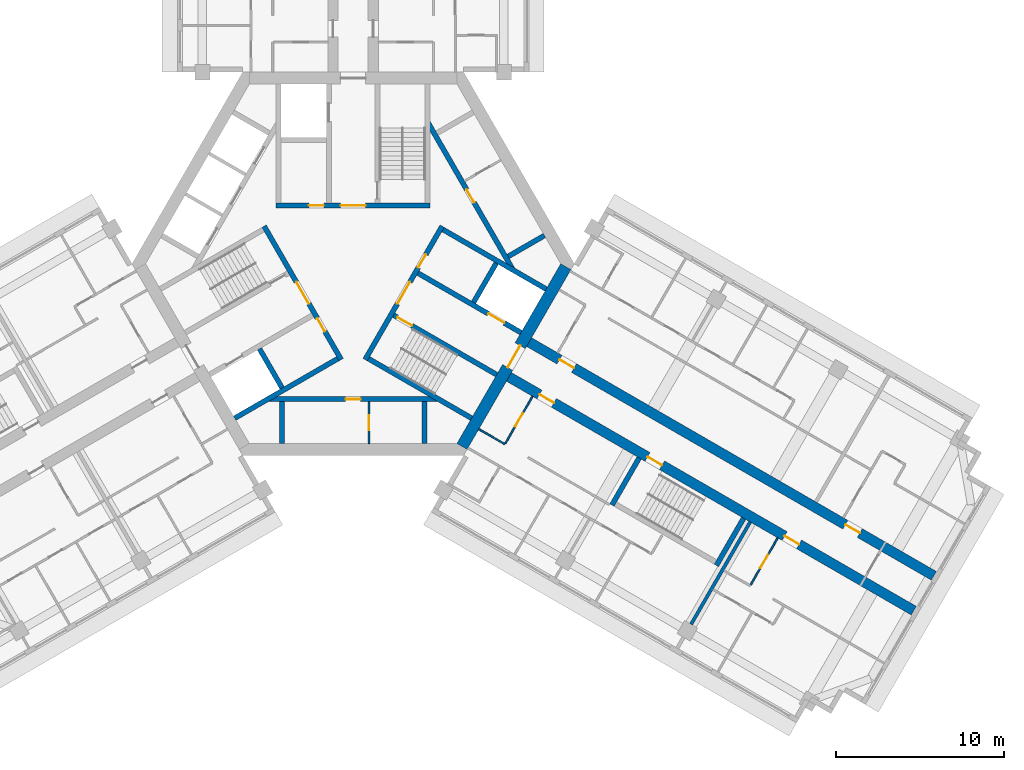
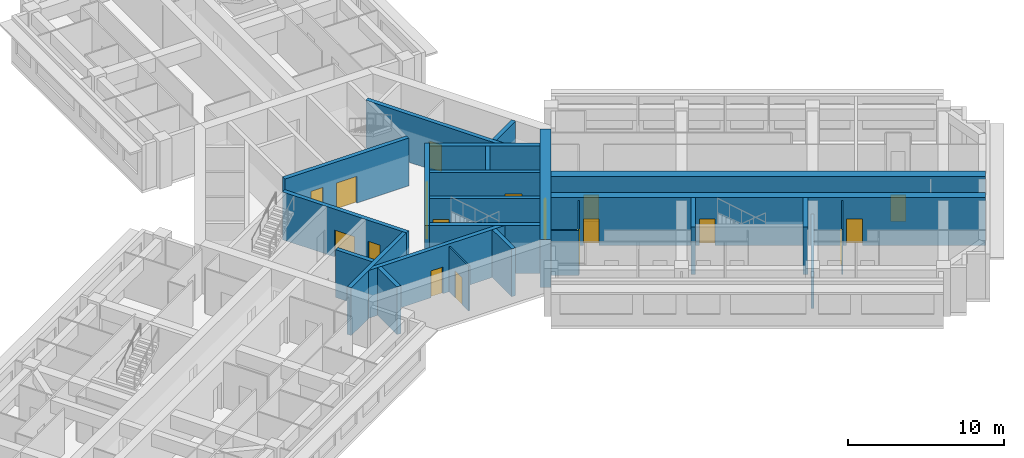
# One storey, part 6 of 12: 25 walls, 19 doors, 19 openings.
"""IFC4 building model written with IfcOpenShell, lengths in metres."""

from ifc_helpers import new_model, si_unit, direction, frame, frame_2d, origin, place, context, subcontext, project, spatial, rectangle, extrude, material, layer, layer_set, type_object, element, fill, save


model = new_model("IFC4")

# Units and contexts
model_context = context("Model", 3, precision=1e-05, world=origin(), true_north=direction((0.0, 1.0)))
body_context = subcontext(model_context, "Body", "Model", "MODEL_VIEW")
ifc_project = project(units=[si_unit("LENGTHUNIT", "METRE"), si_unit("AREAUNIT", "SQUARE_METRE"), si_unit("VOLUMEUNIT", "CUBIC_METRE"), si_unit("PLANEANGLEUNIT", "RADIAN"), si_unit("MASSUNIT", "GRAM", prefix="KILO")], contexts=[model_context])

# Site, building, storey
site_placement = place(None, origin())
site = spatial("IfcSite", under=ifc_project, at=site_placement, CompositionType="ELEMENT")
building_placement = place(site_placement, origin())
building = spatial("IfcBuilding", under=site, at=building_placement, Name="Impinga Residences", CompositionType="ELEMENT")
storey_placement = place(building_placement, frame((0.0, 0.0, 214.75)))
storey = spatial("IfcBuildingStorey", under=building, at=storey_placement, Name="L53", CompositionType="ELEMENT", Elevation=214.75)

# Wall, openings, doors
ifc_material_1 = material(Name="Concrete C60/75", Category="concrete")
ifc_layer_1 = layer(ifc_material_1, 0.60009765625)
ifc_layer_set_1 = layer_set([ifc_layer_1], Name="Concrete C60/75")
wall_type_1 = type_object("IfcWallType", Name="BW3 corridor buttress wall, L46 to L73 600", PredefinedType="SHEAR", material=ifc_layer_set_1)
wall_1_placement = place(storey_placement, frame((10.19677734375, -4.50146484375, 0.0), z_axis=(0.0, 0.0, 1.0), x_axis=(0.866026415941, -0.499998246889, 0.0)))
wall_1 = element("IfcWall", 1, at=wall_1_placement, inside=storey, type_object=wall_type_1, Name="Corridor wall BW3 EC L53", PredefinedType="SHEAR", context=body_context, shape_type="SweptSolid", body=[
    extrude(rectangle(XDim=28.25, YDim=0.60009765625, at=frame_2d((14.125, 0.0))), origin(), (0.0, 0.0, 1.0), 3.75),
])
opening_1_placement = place(wall_1_placement, frame((2.449951171875, 0.0, 0.0)))
opening_1 = element("IfcOpeningElement", 2, at=opening_1_placement, cuts=wall_1, Name="Opening D1", PredefinedType="OPENING", context=body_context, shape_type="SweptSolid", body=[
    extrude(rectangle(XDim=1.0, YDim=2.10009765625, at=frame_2d((0.5, 1.050048828125))), frame((0.0, 0.31005859375, 0.0), z_axis=(0.0, -1.0, 0.0), x_axis=(1.0, 0.0, 0.0)), (0.0, 0.0, 1.0), 0.6201171875),
])
opening_2_placement = place(wall_1_placement, frame((22.14990234375, 0.0, 0.0)))
opening_2 = element("IfcOpeningElement", 3, at=opening_2_placement, cuts=wall_1, Name="Opening D1", PredefinedType="OPENING", context=body_context, shape_type="SweptSolid", body=[
    extrude(rectangle(XDim=1.0, YDim=2.10009765625, at=frame_2d((0.5, 1.050048828125))), frame((0.0, 0.31005859375, 0.0), z_axis=(0.0, -1.0, 0.0), x_axis=(1.0, 0.0, 0.0)), (0.0, 0.0, 1.0), 0.6201171875),
])
ifc_material_2 = material(Name="Timber door set", Category="wood")
door_type_1 = type_object("IfcDoorType", Name="D1 apartment entrance door 1000x2100", OperationType="SINGLE_SWING_LEFT", PredefinedType="DOOR", material=ifc_material_2)
door_1_placement = place(opening_1_placement, origin())
door_1 = element("IfcDoor", 4, at=door_1_placement, inside=storey, type_object=door_type_1, Name="Apartment L53-EA1 entrance", OperationType="SINGLE_SWING_LEFT", OverallHeight=2.10009765625, OverallWidth=1.0, PredefinedType="DOOR", context=body_context, shape_type="SweptSolid", body=[
    extrude(rectangle(XDim=1.0, YDim=2.10009765625, at=frame_2d((0.5, 1.050048828125))), frame((0.0, 0.02490234375, 0.0), z_axis=(0.0, -1.0, 0.0), x_axis=(1.0, 0.0, 0.0)), (0.0, 0.0, 1.0), 0.050048828125),
])
fill(opening_1, door_1)
door_2_placement = place(opening_2_placement, origin())
door_2 = element("IfcDoor", 5, at=door_2_placement, inside=storey, type_object=door_type_1, Name="Apartment L53-EA2 entrance", OperationType="SINGLE_SWING_RIGHT", OverallHeight=2.10009765625, OverallWidth=1.0, PredefinedType="DOOR", context=body_context, shape_type="SweptSolid", body=[
    extrude(rectangle(XDim=1.0, YDim=2.10009765625, at=frame_2d((0.5, 1.050048828125))), frame((0.0, 0.02490234375, 0.0), z_axis=(0.0, -1.0, 0.0), x_axis=(1.0, 0.0, 0.0)), (0.0, 0.0, 1.0), 0.050048828125),
])
fill(opening_2, door_2)

wall_2_placement = place(storey_placement, frame((8.996826171875, -6.580078125, 0.0), z_axis=(0.0, 0.0, 1.0), x_axis=(0.866026415941, -0.499998246889, 0.0)))
wall_2 = element("IfcWall", 6, at=wall_2_placement, inside=storey, type_object=wall_type_1, Name="Corridor wall BW3 ED L53", PredefinedType="SHEAR", context=body_context, shape_type="SweptSolid", body=[
    extrude(rectangle(XDim=28.25, YDim=0.60009765625, at=frame_2d((14.125, 0.0))), origin(), (0.0, 0.0, 1.0), 3.75),
])
opening_3_placement = place(wall_2_placement, frame((9.89990234375, 0.0, 0.0)))
opening_3 = element("IfcOpeningElement", 7, at=opening_3_placement, cuts=wall_2, Name="Opening D5", PredefinedType="OPENING", context=body_context, shape_type="SweptSolid", body=[
    extrude(rectangle(XDim=1.0, YDim=2.10009765625, at=frame_2d((0.5, 1.050048828125))), frame((0.0, 0.31005859375, 0.0), z_axis=(0.0, -1.0, 0.0), x_axis=(1.0, 0.0, 0.0)), (0.0, 0.0, 1.0), 0.6201171875),
])
opening_4_placement = place(wall_2_placement, frame((2.449951171875, 0.0, 0.0)))
opening_4 = element("IfcOpeningElement", 8, at=opening_4_placement, cuts=wall_2, Name="Opening D1", PredefinedType="OPENING", context=body_context, shape_type="SweptSolid", body=[
    extrude(rectangle(XDim=1.0, YDim=2.10009765625, at=frame_2d((0.5, 1.050048828125))), frame((0.0, 0.31005859375, 0.0), z_axis=(0.0, -1.0, 0.0), x_axis=(1.0, 0.0, 0.0)), (0.0, 0.0, 1.0), 0.6201171875),
])
opening_5_placement = place(wall_2_placement, frame((19.35009765625, 0.0, 0.0)))
opening_5 = element("IfcOpeningElement", 9, at=opening_5_placement, cuts=wall_2, Name="Opening D1", PredefinedType="OPENING", context=body_context, shape_type="SweptSolid", body=[
    extrude(rectangle(XDim=1.0, YDim=2.10009765625, at=frame_2d((0.5, 1.050048828125))), frame((0.0, 0.31005859375, 0.0), z_axis=(0.0, -1.0, 0.0), x_axis=(1.0, 0.0, 0.0)), (0.0, 0.0, 1.0), 0.6201171875),
])
door_3_placement = place(opening_4_placement, origin())
door_3 = element("IfcDoor", 10, at=door_3_placement, inside=storey, type_object=door_type_1, Name="Apartment L53-EF1 entrance", OperationType="SINGLE_SWING_LEFT", OverallHeight=2.10009765625, OverallWidth=1.0, PredefinedType="DOOR", context=body_context, shape_type="SweptSolid", body=[
    extrude(rectangle(XDim=1.0, YDim=2.10009765625, at=frame_2d((0.5, 1.050048828125))), frame((0.0, 0.02490234375, 0.0), z_axis=(0.0, -1.0, 0.0), x_axis=(1.0, 0.0, 0.0)), (0.0, 0.0, 1.0), 0.050048828125),
])
fill(opening_4, door_3)
door_4_placement = place(opening_5_placement, origin())
door_4 = element("IfcDoor", 11, at=door_4_placement, inside=storey, type_object=door_type_1, Name="Apartment L53-EF2 entrance", OperationType="SINGLE_SWING_RIGHT", OverallHeight=2.10009765625, OverallWidth=1.0, PredefinedType="DOOR", context=body_context, shape_type="SweptSolid", body=[
    extrude(rectangle(XDim=1.0, YDim=2.10009765625, at=frame_2d((0.5, 1.050048828125))), frame((0.0, 0.02490234375, 0.0), z_axis=(0.0, -1.0, 0.0), x_axis=(1.0, 0.0, 0.0)), (0.0, 0.0, 1.0), 0.050048828125),
])
fill(opening_5, door_4)
door_type_2 = type_object("IfcDoorType", Name="D5 stair door 1000x2100", OperationType="SINGLE_SWING_LEFT", PredefinedType="DOOR", material=ifc_material_2)
door_5_placement = place(opening_3_placement, origin())
door_5 = element("IfcDoor", 12, at=door_5_placement, inside=storey, type_object=door_type_2, Name="Wing stair door E", OperationType="SINGLE_SWING_LEFT", OverallHeight=2.10009765625, OverallWidth=1.0, PredefinedType="DOOR", context=body_context, shape_type="SweptSolid", body=[
    extrude(rectangle(XDim=1.0, YDim=2.10009765625, at=frame_2d((0.5, 1.050048828125))), frame((0.0, 0.02490234375, 0.0), z_axis=(0.0, -1.0, 0.0), x_axis=(1.0, 0.0, 0.0)), (0.0, 0.0, 1.0), 0.050048828125),
])
fill(opening_3, door_5)

# Wall, opening, door
ifc_material_3 = material(Name="Concrete blockwork", Category="masonry")
ifc_layer_2 = layer(ifc_material_3, 0.10009765625)
ifc_layer_set_2 = layer_set([ifc_layer_2], Name="CP1 core room partition, blockwork 100")
wall_type_2 = type_object("IfcWallType", Name="CP1 core room partition, blockwork 100", PredefinedType="PARTITIONING", material=ifc_layer_set_2)
wall_3_placement = place(storey_placement, frame((0.949951171875, -8.2314453125, 0.0), z_axis=(0.0, 0.0, 1.0), x_axis=(0.0, -1.0, 0.0)))
wall_3 = element("IfcWall", 13, at=wall_3_placement, inside=storey, type_object=wall_type_2, Name="Core room partition, blockwork L53:CORE:low:ZP1", PredefinedType="PARTITIONING", context=body_context, shape_type="SweptSolid", body=[
    extrude(rectangle(XDim=2.5, YDim=0.10009765625, at=frame_2d((1.25, 0.0))), origin(), (0.0, 0.0, 1.0), 3.530029296875),
])
opening_6_placement = place(wall_3_placement, frame((0.800048828125, 0.0, 0.0)))
opening_6 = element("IfcOpeningElement", 14, at=opening_6_placement, cuts=wall_3, Name="Opening D6", PredefinedType="OPENING", context=body_context, shape_type="SweptSolid", body=[
    extrude(rectangle(XDim=0.89990234375, YDim=2.10009765625, at=frame_2d((0.449951171875, 1.050048828125))), frame((0.0, 0.06005859375, 0.0), z_axis=(0.0, -1.0, 0.0), x_axis=(1.0, 0.0, 0.0)), (0.0, 0.0, 1.0), 0.1201171875),
])
door_type_3 = type_object("IfcDoorType", Name="D6 riser and store door 900x2100", OperationType="SINGLE_SWING_LEFT", PredefinedType="DOOR", material=ifc_material_2)
door_6_placement = place(opening_6_placement, origin())
door_6 = element("IfcDoor", 15, at=door_6_placement, inside=storey, type_object=door_type_3, Name="Cleaners' store door", OperationType="SINGLE_SWING_LEFT", OverallHeight=2.10009765625, OverallWidth=0.89990234375, PredefinedType="DOOR", context=body_context, shape_type="SweptSolid", body=[
    extrude(rectangle(XDim=0.89990234375, YDim=2.10009765625, at=frame_2d((0.449951171875, 1.050048828125))), frame((0.0, 0.02490234375, 0.0), z_axis=(0.0, -1.0, 0.0), x_axis=(1.0, 0.0, 0.0)), (0.0, 0.0, 1.0), 0.050048828125),
])
fill(opening_6, door_6)

# Wall
ifc_material_4 = material(Name="Gypsum board on steel studs", Category="steel")
ifc_layer_3 = layer(ifc_material_4, 0.10009765625)
ifc_layer_set_3 = layer_set([ifc_layer_3], Name="Gypsum board on steel studs")
wall_type_3 = type_object("IfcWallType", Name="IP1 partition 100", PredefinedType="PARTITIONING", material=ifc_layer_set_3)
wall_4_placement = place(storey_placement, frame((7.5, -9.872802734375, 0.0), z_axis=(0.0, 0.0, 1.0), x_axis=(0.866047807691, -0.499961193289, 0.0)))
element("IfcWall", 16, at=wall_4_placement, inside=storey, type_object=wall_type_3, Name="Partition L53-EF1:DIV0", PredefinedType="PARTITIONING", context=body_context, shape_type="SweptSolid", body=[
    extrude(rectangle(XDim=1.800048828125, YDim=0.10009765625, at=frame_2d((0.89990234375, 0.0))), origin(), (0.0, 0.0, 1.0), 3.530029296875),
])

# Wall, opening, door
wall_5_placement = place(storey_placement, frame((10.708740234375, -7.914794921875, 0.0), z_axis=(0.0, 0.0, 1.0), x_axis=(-0.499984717929, -0.866034226713, 0.0)))
wall_5 = element("IfcWall", 17, at=wall_5_placement, inside=storey, type_object=wall_type_3, Name="Partition L53-EF1:IB1", PredefinedType="PARTITIONING", context=body_context, shape_type="SweptSolid", body=[
    extrude(rectangle(XDim=3.25, YDim=0.10009765625, at=frame_2d((1.625, 0.0))), origin(), (0.0, 0.0, 1.0), 3.530029296875),
])
opening_7_placement = place(wall_5_placement, frame((1.175048828125, 0.0, 0.0)))
opening_7 = element("IfcOpeningElement", 18, at=opening_7_placement, cuts=wall_5, Name="Opening D2", PredefinedType="OPENING", context=body_context, shape_type="SweptSolid", body=[
    extrude(rectangle(XDim=0.89990234375, YDim=2.10009765625, at=frame_2d((0.449951171875, 1.050048828125))), frame((0.0, 0.06005859375, 0.0), z_axis=(0.0, -1.0, 0.0), x_axis=(1.0, 0.0, 0.0)), (0.0, 0.0, 1.0), 0.1201171875),
])
door_type_4 = type_object("IfcDoorType", Name="D2 internal door 900x2100", OperationType="SINGLE_SWING_LEFT", PredefinedType="DOOR", material=ifc_material_2)
door_7_placement = place(opening_7_placement, origin())
door_7 = element("IfcDoor", 19, at=door_7_placement, inside=storey, type_object=door_type_4, Name="Apartment L53-EF1 bathroom door", OperationType="SINGLE_SWING_LEFT", OverallHeight=2.10009765625, OverallWidth=0.89990234375, PredefinedType="DOOR", context=body_context, shape_type="SweptSolid", body=[
    extrude(rectangle(XDim=0.89990234375, YDim=2.10009765625, at=frame_2d((0.449951171875, 1.050048828125))), frame((0.0, 0.02490234375, 0.0), z_axis=(0.0, -1.0, 0.0), x_axis=(1.0, 0.0, 0.0)), (0.0, 0.0, 1.0), 0.050048828125),
])
fill(opening_7, door_7)

wall_6_placement = place(storey_placement, frame((25.3447265625, -16.36474609375, 0.0), z_axis=(0.0, 0.0, 1.0), x_axis=(-0.499984717929, -0.866034226713, 0.0)))
wall_6 = element("IfcWall", 20, at=wall_6_placement, inside=storey, type_object=wall_type_3, Name="Partition L53-EF2:IB1", PredefinedType="PARTITIONING", context=body_context, shape_type="SweptSolid", body=[
    extrude(rectangle(XDim=3.25, YDim=0.10009765625, at=frame_2d((1.625, 0.0))), origin(), (0.0, 0.0, 1.0), 3.530029296875),
])
opening_8_placement = place(wall_6_placement, frame((1.175048828125, 0.0, 0.0)))
opening_8 = element("IfcOpeningElement", 21, at=opening_8_placement, cuts=wall_6, Name="Opening D2", PredefinedType="OPENING", context=body_context, shape_type="SweptSolid", body=[
    extrude(rectangle(XDim=0.89990234375, YDim=2.10009765625, at=frame_2d((0.449951171875, 1.050048828125))), frame((0.0, 0.06005859375, 0.0), z_axis=(0.0, -1.0, 0.0), x_axis=(1.0, 0.0, 0.0)), (0.0, 0.0, 1.0), 0.1201171875),
])
door_8_placement = place(opening_8_placement, origin())
door_8 = element("IfcDoor", 22, at=door_8_placement, inside=storey, type_object=door_type_4, Name="Apartment L53-EF2 bathroom door", OperationType="SINGLE_SWING_LEFT", OverallHeight=2.10009765625, OverallWidth=0.89990234375, PredefinedType="DOOR", context=body_context, shape_type="SweptSolid", body=[
    extrude(rectangle(XDim=0.89990234375, YDim=2.10009765625, at=frame_2d((0.449951171875, 1.050048828125))), frame((0.0, 0.02490234375, 0.0), z_axis=(0.0, -1.0, 0.0), x_axis=(1.0, 0.0, 0.0)), (0.0, 0.0, 1.0), 0.050048828125),
])
fill(opening_8, door_8)

# Walls
ifc_layer_4 = layer(ifc_material_3, 0.199951171875)
ifc_layer_set_4 = layer_set([ifc_layer_4], Name="PW1 party wall between apartments 200")
wall_type_4 = type_object("IfcWallType", Name="PW1 party wall between apartments 200", PredefinedType="SOLIDWALL", material=ifc_layer_set_4)
wall_7_placement = place(storey_placement, frame((23.69921875, -15.414794921875, 0.0), z_axis=(0.0, 0.0, 1.0), x_axis=(-0.499990246421, -0.866031034943, 0.0)))
element("IfcWall", 23, at=wall_7_placement, inside=storey, type_object=wall_type_4, Name="Party wall between apartments L53-EF1:PARTY", PredefinedType="SOLIDWALL", context=body_context, shape_type="SweptSolid", body=[
    extrude(rectangle(XDim=7.050048828125, YDim=0.199951171875, at=frame_2d((3.52490234375, 0.0))), origin(), (0.0, 0.0, 1.0), 2.47998046875),
])
ifc_layer_5 = layer(ifc_material_1, 0.300048828125)
ifc_layer_set_5 = layer_set([ifc_layer_5], Name="Concrete C60/75")
wall_type_5 = type_object("IfcWallType", Name="SE1 wing stair enclosure wall 300", PredefinedType="SOLIDWALL", material=ifc_layer_set_5)
for number, where, z_axis, x_axis, name in (
    (24, (17.07421875, -11.58984375, 0.0), (0.0, 0.0, 1.0), (-0.500017246033, -0.866015446554, 0.0), "Stair enclosure wall SE1 E END0 L53"),
    (25, (23.3095703125, -15.189697265625, 0.0), (0.0, 0.0, 1.0), (-0.499984717929, -0.866034226713, 0.0), "Stair enclosure wall SE1 E END1 L53"),
):
    element("IfcWall", number, at=place(storey_placement, frame(where, z_axis=z_axis, x_axis=x_axis)), inside=storey, type_object=wall_type_5, Name=name, PredefinedType="SOLIDWALL", context=body_context, shape_type="SweptSolid", body=[
        extrude(rectangle(XDim=3.25, YDim=0.300048828125, at=frame_2d((1.625, 0.0))), origin(), (0.0, 0.0, 1.0), 3.75),
    ])

# Wall, opening, door
ifc_layer_6 = layer(ifc_material_1, 0.699951171875)
ifc_layer_set_6 = layer_set([ifc_layer_6], Name="Concrete C60/75")
wall_type_6 = type_object("IfcWallType", Name="SW3 core wall 700", PredefinedType="SHEAR", material=ifc_layer_set_6)
wall_8_placement = place(storey_placement, frame((12.69482421875, -0.175048828125, 0.0), z_axis=(0.0, 0.0, 1.0), x_axis=(-0.499999875397, -0.866025475724, 0.0)))
wall_8 = element("IfcWall", 26, at=wall_8_placement, inside=storey, type_object=wall_type_6, Name="Core wall SW3 E:FACE L53", PredefinedType="SHEAR", context=body_context, shape_type="SweptSolid", body=[
    extrude(rectangle(XDim=12.3916015625, YDim=0.699951171875, at=frame_2d((6.19580078125, 0.0))), origin(), (0.0, 0.0, 1.0), 3.75),
])
opening_9_placement = place(wall_8_placement, frame((5.44580078125, 0.0, 0.0)))
opening_9 = element("IfcOpeningElement", 27, at=opening_9_placement, cuts=wall_8, Name="Opening D4", PredefinedType="OPENING", context=body_context, shape_type="SweptSolid", body=[
    extrude(rectangle(XDim=1.5, YDim=2.10009765625, at=frame_2d((0.75, 1.050048828125))), frame((0.0, 0.35986328125, 0.0), z_axis=(0.0, -1.0, 0.0), x_axis=(1.0, 0.0, 0.0)), (0.0, 0.0, 1.0), 0.719970703125),
])
door_type_5 = type_object("IfcDoorType", Name="D4 lobby door pair 1500x2100", OperationType="DOUBLE_DOOR_DOUBLE_SWING", PredefinedType="DOOR", material=ifc_material_2)
door_9_placement = place(opening_9_placement, origin())
door_9 = element("IfcDoor", 28, at=door_9_placement, inside=storey, type_object=door_type_5, Name="Lobby door E", OperationType="DOUBLE_DOOR_DOUBLE_SWING", OverallHeight=2.10009765625, OverallWidth=1.5, PredefinedType="DOOR", context=body_context, shape_type="SweptSolid", body=[
    extrude(rectangle(XDim=1.5, YDim=2.10009765625, at=frame_2d((0.75, 1.050048828125))), frame((0.0, 0.02490234375, 0.0), z_axis=(0.0, -1.0, 0.0), x_axis=(1.0, 0.0, 0.0)), (0.0, 0.0, 1.0), 0.050048828125),
])
fill(opening_9, door_9)

# Wall, openings, doors
ifc_material_5 = material(Name="Concrete C70/85", Category="concrete")
ifc_layer_7 = layer(ifc_material_5, 0.300048828125)
ifc_layer_set_7 = layer_set([ifc_layer_7], Name="Concrete C70/85")
wall_type_7 = type_object("IfcWallType", Name="SW5 core inner wall, stairs, shafts and lobbies 300", PredefinedType="SHEAR", material=ifc_layer_set_7)
wall_9_placement = place(storey_placement, frame((-4.60009765625, 3.47998046875, 0.0), z_axis=(0.0, 0.0, 1.0), x_axis=(1.0, 0.0, 0.0)))
wall_9 = element("IfcWall", 29, at=wall_9_placement, inside=storey, type_object=wall_type_7, Name="Core wall SW5 N:ZONE L53", PredefinedType="SHEAR", context=body_context, shape_type="SweptSolid", body=[
    extrude(rectangle(XDim=9.2001953125, YDim=0.300048828125, at=frame_2d((4.60009765625, 0.0))), origin(), (0.0, 0.0, 1.0), 3.75),
])
opening_10_placement = place(wall_9_placement, frame((3.85009765625, 0.0, 0.0)))
opening_10 = element("IfcOpeningElement", 30, at=opening_10_placement, cuts=wall_9, Name="Opening D4", PredefinedType="OPENING", context=body_context, shape_type="SweptSolid", body=[
    extrude(rectangle(XDim=1.5, YDim=2.10009765625, at=frame_2d((0.75, 1.050048828125))), frame((0.0, 0.159912109375, 0.0), z_axis=(0.0, -1.0, 0.0), x_axis=(1.0, 0.0, 0.0)), (0.0, 0.0, 1.0), 0.320068359375),
])
opening_11_placement = place(wall_9_placement, frame((1.949951171875, 0.0, 0.0)))
opening_11 = element("IfcOpeningElement", 31, at=opening_11_placement, cuts=wall_9, Name="Opening D6", PredefinedType="OPENING", context=body_context, shape_type="SweptSolid", body=[
    extrude(rectangle(XDim=0.89990234375, YDim=2.10009765625, at=frame_2d((0.449951171875, 1.050048828125))), frame((0.0, 0.159912109375, 0.0), z_axis=(0.0, -1.0, 0.0), x_axis=(1.0, 0.0, 0.0)), (0.0, 0.0, 1.0), 0.320068359375),
])
door_10_placement = place(opening_10_placement, origin())
door_10 = element("IfcDoor", 32, at=door_10_placement, inside=storey, type_object=door_type_5, Name="Firefighting lobby door N", OperationType="DOUBLE_DOOR_DOUBLE_SWING", OverallHeight=2.10009765625, OverallWidth=1.5, PredefinedType="DOOR", context=body_context, shape_type="SweptSolid", body=[
    extrude(rectangle(XDim=1.5, YDim=2.10009765625, at=frame_2d((0.75, 1.050048828125))), frame((0.0, 0.02490234375, 0.0), z_axis=(0.0, -1.0, 0.0), x_axis=(1.0, 0.0, 0.0)), (0.0, 0.0, 1.0), 0.050048828125),
])
fill(opening_10, door_10)
door_11_placement = place(opening_11_placement, origin())
door_11 = element("IfcDoor", 33, at=door_11_placement, inside=storey, type_object=door_type_3, Name="Riser door N", OperationType="SINGLE_SWING_LEFT", OverallHeight=2.10009765625, OverallWidth=0.89990234375, PredefinedType="DOOR", context=body_context, shape_type="SweptSolid", body=[
    extrude(rectangle(XDim=0.89990234375, YDim=2.10009765625, at=frame_2d((0.449951171875, 1.050048828125))), frame((0.0, 0.02490234375, 0.0), z_axis=(0.0, -1.0, 0.0), x_axis=(1.0, 0.0, 0.0)), (0.0, 0.0, 1.0), 0.050048828125),
])
fill(opening_11, door_11)

wall_10_placement = place(storey_placement, frame((-0.7138671875, -5.7236328125, 0.0), z_axis=(0.0, 0.0, 1.0), x_axis=(-0.499995050369, 0.866028261437, 0.0)))
wall_10 = element("IfcWall", 34, at=wall_10_placement, inside=storey, type_object=wall_type_7, Name="Core wall SW5 W:ZONE L53", PredefinedType="SHEAR", context=body_context, shape_type="SweptSolid", body=[
    extrude(rectangle(XDim=9.19970703125, YDim=0.300048828125, at=frame_2d((4.599853515625, 0.0))), origin(), (0.0, 0.0, 1.0), 3.75),
])
opening_12_placement = place(wall_10_placement, frame((3.85009765625, 0.0, 0.0)))
opening_12 = element("IfcOpeningElement", 35, at=opening_12_placement, cuts=wall_10, Name="Opening D4", PredefinedType="OPENING", context=body_context, shape_type="SweptSolid", body=[
    extrude(rectangle(XDim=1.5, YDim=2.10009765625, at=frame_2d((0.75, 1.050048828125))), frame((0.0, 0.159912109375, 0.0), z_axis=(0.0, -1.0, 0.0), x_axis=(1.0, 0.0, 0.0)), (0.0, 0.0, 1.0), 0.320068359375),
])
opening_13_placement = place(wall_10_placement, frame((1.949951171875, 0.0, 0.0)))
opening_13 = element("IfcOpeningElement", 36, at=opening_13_placement, cuts=wall_10, Name="Opening D6", PredefinedType="OPENING", context=body_context, shape_type="SweptSolid", body=[
    extrude(rectangle(XDim=0.89990234375, YDim=2.10009765625, at=frame_2d((0.449951171875, 1.050048828125))), frame((0.0, 0.159912109375, 0.0), z_axis=(0.0, -1.0, 0.0), x_axis=(1.0, 0.0, 0.0)), (0.0, 0.0, 1.0), 0.320068359375),
])
door_12_placement = place(opening_12_placement, origin())
door_12 = element("IfcDoor", 37, at=door_12_placement, inside=storey, type_object=door_type_5, Name="Firefighting lobby door W", OperationType="DOUBLE_DOOR_DOUBLE_SWING", OverallHeight=2.10009765625, OverallWidth=1.5, PredefinedType="DOOR", context=body_context, shape_type="SweptSolid", body=[
    extrude(rectangle(XDim=1.5, YDim=2.10009765625, at=frame_2d((0.75, 1.050048828125))), frame((0.0, 0.02490234375, 0.0), z_axis=(0.0, -1.0, 0.0), x_axis=(1.0, 0.0, 0.0)), (0.0, 0.0, 1.0), 0.050048828125),
])
fill(opening_12, door_12)
door_13_placement = place(opening_13_placement, origin())
door_13 = element("IfcDoor", 38, at=door_13_placement, inside=storey, type_object=door_type_3, Name="Riser door W", OperationType="SINGLE_SWING_LEFT", OverallHeight=2.10009765625, OverallWidth=0.89990234375, PredefinedType="DOOR", context=body_context, shape_type="SweptSolid", body=[
    extrude(rectangle(XDim=0.89990234375, YDim=2.10009765625, at=frame_2d((0.449951171875, 1.050048828125))), frame((0.0, 0.02490234375, 0.0), z_axis=(0.0, -1.0, 0.0), x_axis=(1.0, 0.0, 0.0)), (0.0, 0.0, 1.0), 0.050048828125),
])
fill(opening_13, door_13)

# Walls
wall_11_placement = place(storey_placement, frame((-0.918701171875, -5.668701171875, 0.0), z_axis=(0.0, 0.0, 1.0), x_axis=(-0.866025859768, -0.499999210213, 0.0)))
element("IfcWall", 39, at=wall_11_placement, inside=storey, type_object=wall_type_7, Name="Core wall SW5 W:FF-OUT L53", PredefinedType="SHEAR", context=body_context, shape_type="SweptSolid", body=[
    extrude(rectangle(XDim=7.1015625, YDim=0.300048828125, at=frame_2d((3.55078125, 0.0))), origin(), (0.0, 0.0, 1.0), 3.75),
])
wall_12_placement = place(storey_placement, frame((-4.2412109375, -7.413818359375, 0.0), z_axis=(0.0, 0.0, 1.0), x_axis=(-0.500048589285, 0.86599734893, 0.0)))
element("IfcWall", 40, at=wall_12_placement, inside=storey, type_object=wall_type_7, Name="Core wall SW5 W:FF-RS L53", PredefinedType="SHEAR", context=body_context, shape_type="SweptSolid", body=[
    extrude(rectangle(XDim=2.699951171875, YDim=0.300048828125, at=frame_2d((1.35009765625, 0.0))), origin(), (0.0, 0.0, 1.0), 3.75),
])

# Wall, openings, doors
wall_13_placement = place(storey_placement, frame((5.313720703125, 2.24365234375, 0.0), z_axis=(0.0, 0.0, 1.0), x_axis=(-0.499995050369, -0.866028261437, 0.0)))
wall_13 = element("IfcWall", 41, at=wall_13_placement, inside=storey, type_object=wall_type_7, Name="Core wall SW5 E:ZONE L53", PredefinedType="SHEAR", context=body_context, shape_type="SweptSolid", body=[
    extrude(rectangle(XDim=9.19970703125, YDim=0.300048828125, at=frame_2d((4.599853515625, 0.0))), origin(), (0.0, 0.0, 1.0), 3.75),
])
opening_14_placement = place(wall_13_placement, frame((3.85009765625, 0.0, 0.0)))
opening_14 = element("IfcOpeningElement", 42, at=opening_14_placement, cuts=wall_13, Name="Opening D4", PredefinedType="OPENING", context=body_context, shape_type="SweptSolid", body=[
    extrude(rectangle(XDim=1.5, YDim=2.10009765625, at=frame_2d((0.75, 1.050048828125))), frame((0.0, 0.159912109375, 0.0), z_axis=(0.0, -1.0, 0.0), x_axis=(1.0, 0.0, 0.0)), (0.0, 0.0, 1.0), 0.320068359375),
])
opening_15_placement = place(wall_13_placement, frame((1.949951171875, 0.0, 0.0)))
opening_15 = element("IfcOpeningElement", 43, at=opening_15_placement, cuts=wall_13, Name="Opening D6", PredefinedType="OPENING", context=body_context, shape_type="SweptSolid", body=[
    extrude(rectangle(XDim=0.89990234375, YDim=2.10009765625, at=frame_2d((0.449951171875, 1.050048828125))), frame((0.0, 0.159912109375, 0.0), z_axis=(0.0, -1.0, 0.0), x_axis=(1.0, 0.0, 0.0)), (0.0, 0.0, 1.0), 0.320068359375),
])
door_14_placement = place(opening_14_placement, origin())
door_14 = element("IfcDoor", 44, at=door_14_placement, inside=storey, type_object=door_type_5, Name="Firefighting lobby door E", OperationType="DOUBLE_DOOR_DOUBLE_SWING", OverallHeight=2.10009765625, OverallWidth=1.5, PredefinedType="DOOR", context=body_context, shape_type="SweptSolid", body=[
    extrude(rectangle(XDim=1.5, YDim=2.10009765625, at=frame_2d((0.75, 1.050048828125))), frame((0.0, 0.02490234375, 0.0), z_axis=(0.0, -1.0, 0.0), x_axis=(1.0, 0.0, 0.0)), (0.0, 0.0, 1.0), 0.050048828125),
])
fill(opening_14, door_14)
door_15_placement = place(opening_15_placement, origin())
door_15 = element("IfcDoor", 45, at=door_15_placement, inside=storey, type_object=door_type_3, Name="Riser door E", OperationType="SINGLE_SWING_LEFT", OverallHeight=2.10009765625, OverallWidth=0.89990234375, PredefinedType="DOOR", context=body_context, shape_type="SweptSolid", body=[
    extrude(rectangle(XDim=0.89990234375, YDim=2.10009765625, at=frame_2d((0.449951171875, 1.050048828125))), frame((0.0, 0.02490234375, 0.0), z_axis=(0.0, -1.0, 0.0), x_axis=(1.0, 0.0, 0.0)), (0.0, 0.0, 1.0), 0.050048828125),
])
fill(opening_15, door_15)

# Wall, opening, door
wall_14_placement = place(storey_placement, frame((2.418701171875, -3.07080078125, 0.0), z_axis=(0.0, 0.0, 1.0), x_axis=(0.866025859768, -0.499999210213, 0.0)))
wall_14 = element("IfcWall", 46, at=wall_14_placement, inside=storey, type_object=wall_type_7, Name="Core wall SW5 E:ST-IN L53", PredefinedType="SHEAR", context=body_context, shape_type="SweptSolid", body=[
    extrude(rectangle(XDim=7.1015625, YDim=0.300048828125, at=frame_2d((3.55078125, 0.0))), origin(), (0.0, 0.0, 1.0), 3.75),
])
opening_16_placement = place(wall_14_placement, frame((0.25, 0.0, 0.0)))
opening_16 = element("IfcOpeningElement", 47, at=opening_16_placement, cuts=wall_14, Name="Opening D5", PredefinedType="OPENING", context=body_context, shape_type="SweptSolid", body=[
    extrude(rectangle(XDim=1.0, YDim=2.10009765625, at=frame_2d((0.5, 1.050048828125))), frame((0.0, 0.159912109375, 0.0), z_axis=(0.0, -1.0, 0.0), x_axis=(1.0, 0.0, 0.0)), (0.0, 0.0, 1.0), 0.320068359375),
])
door_16_placement = place(opening_16_placement, origin())
door_16 = element("IfcDoor", 48, at=door_16_placement, inside=storey, type_object=door_type_2, Name="Stair door E", OperationType="SINGLE_SWING_LEFT", OverallHeight=2.10009765625, OverallWidth=1.0, PredefinedType="DOOR", context=body_context, shape_type="SweptSolid", body=[
    extrude(rectangle(XDim=1.0, YDim=2.10009765625, at=frame_2d((0.5, 1.050048828125))), frame((0.0, 0.02490234375, 0.0), z_axis=(0.0, -1.0, 0.0), x_axis=(1.0, 0.0, 0.0)), (0.0, 0.0, 1.0), 0.050048828125),
])
fill(opening_16, door_16)

# Wall
wall_15_placement = place(storey_placement, frame((0.918701171875, -5.668701171875, 0.0), z_axis=(0.0, 0.0, 1.0), x_axis=(0.866025859768, -0.499999210213, 0.0)))
element("IfcWall", 49, at=wall_15_placement, inside=storey, type_object=wall_type_7, Name="Core wall SW5 E:ST-OUT L53", PredefinedType="SHEAR", context=body_context, shape_type="SweptSolid", body=[
    extrude(rectangle(XDim=7.1015625, YDim=0.300048828125, at=frame_2d((3.55078125, 0.0))), origin(), (0.0, 0.0, 1.0), 3.75),
])

# Wall, opening, door
wall_16_placement = place(storey_placement, frame((3.86865234375, -0.559326171875, 0.0), z_axis=(0.0, 0.0, 1.0), x_axis=(0.866025859768, -0.499999210213, 0.0)))
wall_16 = element("IfcWall", 50, at=wall_16_placement, inside=storey, type_object=wall_type_7, Name="Core wall SW5 E:FF-IN L53", PredefinedType="SHEAR", context=body_context, shape_type="SweptSolid", body=[
    extrude(rectangle(XDim=7.1015625, YDim=0.300048828125, at=frame_2d((3.55078125, 0.0))), origin(), (0.0, 0.0, 1.0), 3.75),
])
opening_17_placement = place(wall_16_placement, frame((4.85009765625, 0.0, 0.0)))
opening_17 = element("IfcOpeningElement", 51, at=opening_17_placement, cuts=wall_16, Name="Opening LD2", PredefinedType="OPENING", context=body_context, shape_type="SweptSolid", body=[
    extrude(rectangle(XDim=1.10009765625, YDim=2.10009765625, at=frame_2d((0.550048828125, 1.050048828125))), frame((0.0, 0.159912109375, 0.0), z_axis=(0.0, -1.0, 0.0), x_axis=(1.0, 0.0, 0.0)), (0.0, 0.0, 1.0), 0.320068359375),
])
ifc_material_6 = material(Name="Steel lift landing door", Category="steel")
door_type_6 = type_object("IfcDoorType", Name="LD2 firefighting lift landing door 1100x2100", OperationType="DOUBLE_DOOR_SLIDING", PredefinedType="DOOR", material=ifc_material_6)
door_17_placement = place(opening_17_placement, origin())
door_17 = element("IfcDoor", 52, at=door_17_placement, inside=storey, type_object=door_type_6, Name="Firefighting lift landing door F3", OperationType="DOUBLE_DOOR_SLIDING", OverallHeight=2.10009765625, OverallWidth=1.10009765625, PredefinedType="DOOR", context=body_context, shape_type="SweptSolid", body=[
    extrude(rectangle(XDim=1.10009765625, YDim=2.10009765625, at=frame_2d((0.550048828125, 1.050048828125))), frame((0.0, 0.02490234375, 0.0), z_axis=(0.0, -1.0, 0.0), x_axis=(1.0, 0.0, 0.0)), (0.0, 0.0, 1.0), 0.050048828125),
])
fill(opening_17, door_17)

# Walls
wall_17_placement = place(storey_placement, frame((5.36865234375, 2.038818359375, 0.0), z_axis=(0.0, 0.0, 1.0), x_axis=(0.866025859768, -0.499999210213, 0.0)))
element("IfcWall", 53, at=wall_17_placement, inside=storey, type_object=wall_type_7, Name="Core wall SW5 E:FF-OUT L53", PredefinedType="SHEAR", context=body_context, shape_type="SweptSolid", body=[
    extrude(rectangle(XDim=7.1015625, YDim=0.300048828125, at=frame_2d((3.55078125, 0.0))), origin(), (0.0, 0.0, 1.0), 3.75),
])
wall_18_placement = place(storey_placement, frame((8.541259765625, 0.033935546875, 0.0), z_axis=(0.0, 0.0, 1.0), x_axis=(-0.50000943426, -0.866019956843, 0.0)))
element("IfcWall", 54, at=wall_18_placement, inside=storey, type_object=wall_type_7, Name="Core wall SW5 E:FF-RS L53", PredefinedType="SHEAR", context=body_context, shape_type="SweptSolid", body=[
    extrude(rectangle(XDim=2.7001953125, YDim=0.300048828125, at=frame_2d((1.35009765625, 0.0))), origin(), (0.0, 0.0, 1.0), 3.75),
])

# Wall, opening, door
wall_19_placement = place(storey_placement, frame((5.09765625, -8.08154296875, 0.0), z_axis=(0.0, 0.0, 1.0), x_axis=(-1.0, 0.0, 0.0)))
wall_19 = element("IfcWall", 55, at=wall_19_placement, inside=storey, type_object=wall_type_7, Name="Core wall SW5 N:BANK-FRONT L53", PredefinedType="SHEAR", context=body_context, shape_type="SweptSolid", body=[
    extrude(rectangle(XDim=10.1953125, YDim=0.300048828125, at=frame_2d((5.09765625, 0.0))), origin(), (0.0, 0.0, 1.0), 3.75),
])
opening_18_placement = place(wall_19_placement, frame((4.647705078125, 0.0, 0.0)))
opening_18 = element("IfcOpeningElement", 56, at=opening_18_placement, cuts=wall_19, Name="Opening D6", PredefinedType="OPENING", context=body_context, shape_type="SweptSolid", body=[
    extrude(rectangle(XDim=0.89990234375, YDim=2.10009765625, at=frame_2d((0.449951171875, 1.050048828125))), frame((0.0, 0.159912109375, 0.0), z_axis=(0.0, -1.0, 0.0), x_axis=(1.0, 0.0, 0.0)), (0.0, 0.0, 1.0), 0.320068359375),
])
door_18_placement = place(opening_18_placement, origin())
door_18 = element("IfcDoor", 57, at=door_18_placement, inside=storey, type_object=door_type_3, Name="Vending and ice room door", OperationType="SINGLE_SWING_LEFT", OverallHeight=2.10009765625, OverallWidth=0.89990234375, PredefinedType="DOOR", context=body_context, shape_type="SweptSolid", body=[
    extrude(rectangle(XDim=0.89990234375, YDim=2.10009765625, at=frame_2d((0.449951171875, 1.050048828125))), frame((0.0, 0.02490234375, 0.0), z_axis=(0.0, -1.0, 0.0), x_axis=(1.0, 0.0, 0.0)), (0.0, 0.0, 1.0), 0.050048828125),
])
fill(opening_18, door_18)

# Walls
for number, where, z_axis, x_axis, name in (
    (58, (4.25, -8.2314453125, 0.0), (0.0, 0.0, 1.0), (0.0, -1.0, 0.0), "Core wall SW5 N:BANK-L L53"),
    (59, (-4.25, -8.2314453125, 0.0), (0.0, 0.0, 1.0), (0.0, -1.0, 0.0), "Core wall SW5 N:BANK-R L53"),
):
    element("IfcWall", number, at=place(storey_placement, frame(where, z_axis=z_axis, x_axis=x_axis)), inside=storey, type_object=wall_type_7, Name=name, PredefinedType="SHEAR", context=body_context, shape_type="SweptSolid", body=[
        extrude(rectangle(XDim=2.5, YDim=0.300048828125, at=frame_2d((1.25, 0.0))), origin(), (0.0, 0.0, 1.0), 3.75),
    ])

# Wall, opening, door
wall_20_placement = place(storey_placement, frame((4.449951171875, 8.455322265625, 0.0), z_axis=(0.0, 0.0, 1.0), x_axis=(0.500002290144, -0.866024081565, 0.0)))
wall_20 = element("IfcWall", 60, at=wall_20_placement, inside=storey, type_object=wall_type_7, Name="Core wall SW5 W:BANK-FRONT L53", PredefinedType="SHEAR", context=body_context, shape_type="SweptSolid", body=[
    extrude(rectangle(XDim=10.1953125, YDim=0.300048828125, at=frame_2d((5.09765625, 0.0))), origin(), (0.0, 0.0, 1.0), 3.75),
])
opening_19_placement = place(wall_20_placement, frame((4.647705078125, 0.0, 0.0)))
opening_19 = element("IfcOpeningElement", 61, at=opening_19_placement, cuts=wall_20, Name="Opening D6", PredefinedType="OPENING", context=body_context, shape_type="SweptSolid", body=[
    extrude(rectangle(XDim=0.89990234375, YDim=2.10009765625, at=frame_2d((0.449951171875, 1.050048828125))), frame((0.0, 0.159912109375, 0.0), z_axis=(0.0, -1.0, 0.0), x_axis=(1.0, 0.0, 0.0)), (0.0, 0.0, 1.0), 0.320068359375),
])
door_19_placement = place(opening_19_placement, origin())
door_19 = element("IfcDoor", 62, at=door_19_placement, inside=storey, type_object=door_type_3, Name="Guest pantry door", OperationType="SINGLE_SWING_RIGHT", OverallHeight=2.10009765625, OverallWidth=0.89990234375, PredefinedType="DOOR", context=body_context, shape_type="SweptSolid", body=[
    extrude(rectangle(XDim=0.89990234375, YDim=2.10009765625, at=frame_2d((0.449951171875, 1.050048828125))), frame((0.0, 0.02490234375, 0.0), z_axis=(0.0, -1.0, 0.0), x_axis=(1.0, 0.0, 0.0)), (0.0, 0.0, 1.0), 0.050048828125),
])
fill(opening_19, door_19)

# Wall
wall_21_placement = place(storey_placement, frame((9.253662109375, 0.43505859375, 0.0), z_axis=(0.0, 0.0, 1.0), x_axis=(0.866022959057, 0.500004234368, 0.0)))
element("IfcWall", 63, at=wall_21_placement, inside=storey, type_object=wall_type_7, Name="Core wall SW5 W:BANK-R L53", PredefinedType="SHEAR", context=body_context, shape_type="SweptSolid", body=[
    extrude(rectangle(XDim=2.5, YDim=0.300048828125, at=frame_2d((1.25, 0.0))), origin(), (0.0, 0.0, 1.0), 3.75),
])

save(model, "model.ifc")
